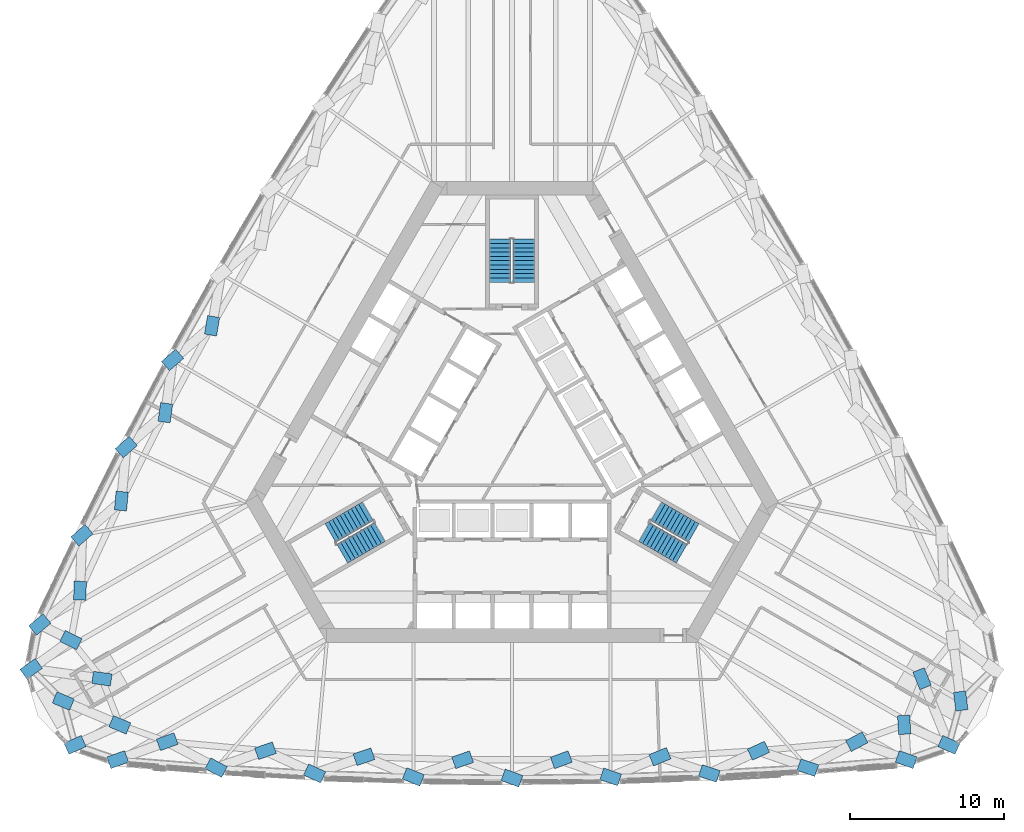
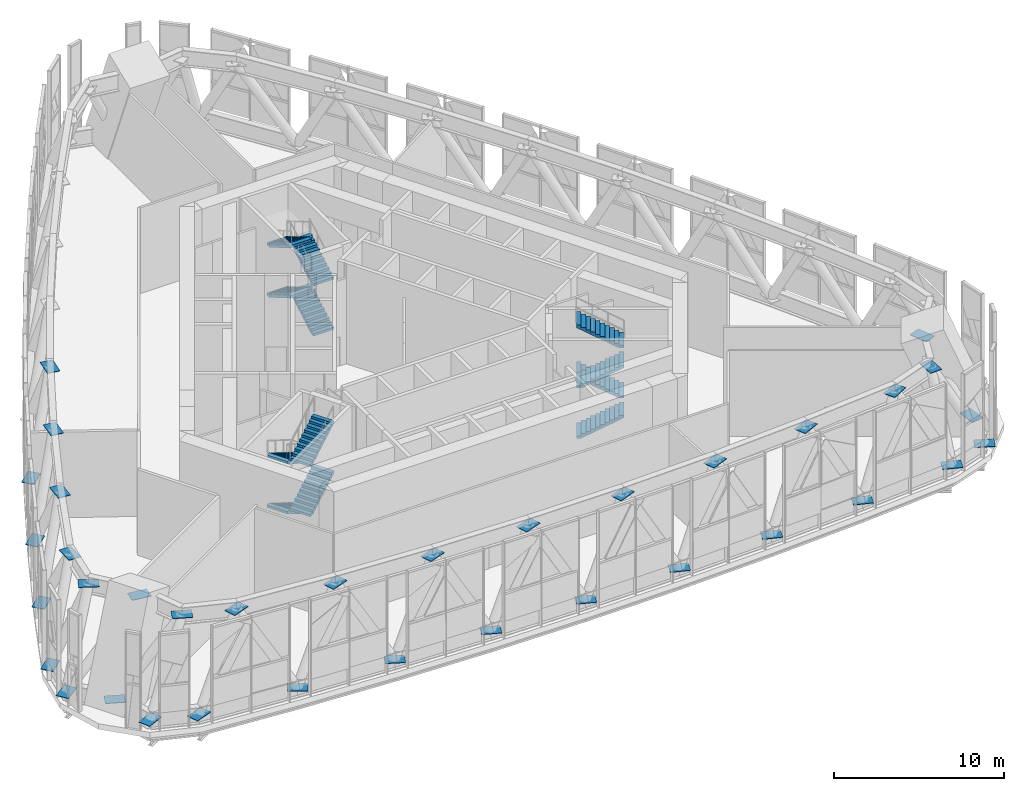
# One storey, part 26 of 33: 35 discrete accessories, 12 stair flights, 3 elements without a shape of their own.
"""IFC4 building model written with IfcOpenShell, lengths in metres."""

from ifc_helpers import new_model, si_unit, direction, frame, origin, place, context, subcontext, project, spatial, polyline, outline, extrude, material, layer, layer_set, type_object, element, aggregate, save


model = new_model("IFC4")

# Units and contexts
model_context = context("Model", 3, precision=1e-05, world=origin(), true_north=direction((0.0, 1.0)))
body_context = subcontext(model_context, "Body", "Model", "MODEL_VIEW")
ifc_project = project(units=[si_unit("LENGTHUNIT", "METRE"), si_unit("AREAUNIT", "SQUARE_METRE"), si_unit("VOLUMEUNIT", "CUBIC_METRE"), si_unit("PLANEANGLEUNIT", "RADIAN"), si_unit("MASSUNIT", "GRAM", prefix="KILO")], contexts=[model_context])

# Site, building, storey
site_placement = place(None, origin())
site = spatial("IfcSite", under=ifc_project, at=site_placement, CompositionType="ELEMENT")
building_placement = place(site_placement, origin())
building = spatial("IfcBuilding", under=site, at=building_placement, Name="Mestral Congress Tower", CompositionType="ELEMENT")
storey_placement = place(building_placement, frame((0.0, 0.0, 134.39990234375)))
storey = spatial("IfcBuildingStorey", under=building, at=storey_placement, Name="L32", CompositionType="ELEMENT", Elevation=134.39990234375)

# Stair, stair flights
ifc_material_1 = material(Name="Concrete C60/75", Category="concrete")
stair_type = type_object("IfcStairType", Name="Exit stair 1400", PredefinedType="HALF_TURN_STAIR", material=ifc_material_1)
placement_1 = place(storey_placement, origin())
stair_1 = element("IfcStair", 1, at=placement_1, inside=storey, type_object=stair_type, Name="L32 ST1", PredefinedType="HALF_TURN_STAIR")
stair_flight_type = type_object("IfcStairFlightType", Name="Exit stair flight 1400", PredefinedType="STRAIGHT", material=ifc_material_1)
stair_flight_1_placement = place(storey_placement, frame((8.575927734375, -5.84619140625, 0.0), z_axis=(0.0, 0.0, 1.0), x_axis=(0.866025403784, -0.5, 0.0)))
stair_flight_1 = element("IfcStairFlight", 2, at=stair_flight_1_placement, type_object=stair_flight_type, Name="ST1 flight 1", NumberOfRisers=11, NumberOfTreads=10, PredefinedType="STRAIGHT", RiserHeight=0.163636364, TreadLength=0.28, context=body_context, shape_type="SweptSolid", body=[
    extrude(outline(polyline([(0.0, 0.0), (0.0, 0.16357421875), (0.280029296875, 0.16357421875), (0.280029296875, 0.327392578125), (0.56005859375, 0.327392578125), (0.56005859375, 0.490966796875), (0.840087890625, 0.490966796875), (0.840087890625, 0.654541015625), (1.1201171875, 0.654541015625), (1.1201171875, 0.818115234375), (1.39990234375, 0.818115234375), (1.39990234375, 0.98193359375), (1.679931640625, 0.98193359375), (1.679931640625, 1.1455078125), (1.9599609375, 1.1455078125), (1.9599609375, 1.30908203125), (2.239990234375, 1.30908203125), (2.239990234375, 1.47265625), (2.52001953125, 1.47265625), (2.52001953125, 1.636474609375), (2.800048828125, 1.636474609375), (2.800048828125, 1.800048828125), (2.800048828125, 1.462646484375), (0.297119140625, 0.0), (0.0, 0.0)])), frame((0.0, 0.699951171875, 0.0), z_axis=(0.0, -1.0, 0.0), x_axis=(1.0, 0.0, 0.0)), (0.0, 0.0, 1.0), 1.39990234375),
])
stair_flight_2_placement = place(storey_placement, frame((11.775634765625, -5.90380859375, 1.800048828125), z_axis=(0.0, 0.0, 1.0), x_axis=(-0.866025403784, 0.5, 0.0)))
stair_flight_2 = element("IfcStairFlight", 3, at=stair_flight_2_placement, type_object=stair_flight_type, Name="ST1 flight 2", NumberOfRisers=11, NumberOfTreads=10, PredefinedType="STRAIGHT", RiserHeight=0.163636364, TreadLength=0.28, context=body_context, shape_type="SweptSolid", body=[
    extrude(outline(polyline([(0.0, 0.0), (0.0, 0.16357421875), (0.280029296875, 0.16357421875), (0.280029296875, 0.327392578125), (0.56005859375, 0.327392578125), (0.56005859375, 0.490966796875), (0.840087890625, 0.490966796875), (0.840087890625, 0.654541015625), (1.1201171875, 0.654541015625), (1.1201171875, 0.818115234375), (1.39990234375, 0.818115234375), (1.39990234375, 0.98193359375), (1.679931640625, 0.98193359375), (1.679931640625, 1.1455078125), (1.9599609375, 1.1455078125), (1.9599609375, 1.30908203125), (2.239990234375, 1.30908203125), (2.239990234375, 1.47265625), (2.52001953125, 1.47265625), (2.52001953125, 1.636474609375), (2.800048828125, 1.636474609375), (2.800048828125, 1.800048828125), (2.800048828125, 1.462646484375), (0.297119140625, 0.0), (0.0, 0.0)])), frame((0.0, 0.699951171875, 0.0), z_axis=(0.0, -1.0, 0.0), x_axis=(1.0, 0.0, 0.0)), (0.0, 0.0, 1.0), 1.39990234375),
])
stair_flight_3_placement = place(storey_placement, frame((8.575927734375, -5.84619140625, 3.60009765625), z_axis=(0.0, 0.0, 1.0), x_axis=(0.866025403784, -0.5, 0.0)))
stair_flight_3 = element("IfcStairFlight", 4, at=stair_flight_3_placement, type_object=stair_flight_type, Name="ST1 flight 3", NumberOfRisers=11, NumberOfTreads=10, PredefinedType="STRAIGHT", RiserHeight=0.163636364, TreadLength=0.28, context=body_context, shape_type="SweptSolid", body=[
    extrude(outline(polyline([(0.0, 0.0), (0.0, 0.16357421875), (0.280029296875, 0.16357421875), (0.280029296875, 0.327392578125), (0.56005859375, 0.327392578125), (0.56005859375, 0.490966796875), (0.840087890625, 0.490966796875), (0.840087890625, 0.654541015625), (1.1201171875, 0.654541015625), (1.1201171875, 0.818115234375), (1.39990234375, 0.818115234375), (1.39990234375, 0.98193359375), (1.679931640625, 0.98193359375), (1.679931640625, 1.1455078125), (1.9599609375, 1.1455078125), (1.9599609375, 1.30908203125), (2.239990234375, 1.30908203125), (2.239990234375, 1.47265625), (2.52001953125, 1.47265625), (2.52001953125, 1.636474609375), (2.800048828125, 1.636474609375), (2.800048828125, 1.800048828125), (2.800048828125, 1.462646484375), (0.297119140625, 0.0), (0.0, 0.0)])), frame((0.0, 0.699951171875, 0.0), z_axis=(0.0, -1.0, 0.0), x_axis=(1.0, 0.0, 0.0)), (0.0, 0.0, 1.0), 1.39990234375),
])
stair_flight_4_placement = place(storey_placement, frame((11.775634765625, -5.90380859375, 5.400146484375), z_axis=(0.0, 0.0, 1.0), x_axis=(-0.866025403784, 0.5, 0.0)))
stair_flight_4 = element("IfcStairFlight", 5, at=stair_flight_4_placement, type_object=stair_flight_type, Name="ST1 flight 4", NumberOfRisers=11, NumberOfTreads=10, PredefinedType="STRAIGHT", RiserHeight=0.163636364, TreadLength=0.28, context=body_context, shape_type="SweptSolid", body=[
    extrude(outline(polyline([(0.0, 0.0), (0.0, 0.16357421875), (0.280029296875, 0.16357421875), (0.280029296875, 0.327392578125), (0.56005859375, 0.327392578125), (0.56005859375, 0.490966796875), (0.840087890625, 0.490966796875), (0.840087890625, 0.654541015625), (1.1201171875, 0.654541015625), (1.1201171875, 0.818115234375), (1.39990234375, 0.818115234375), (1.39990234375, 0.98193359375), (1.679931640625, 0.98193359375), (1.679931640625, 1.1455078125), (1.9599609375, 1.1455078125), (1.9599609375, 1.30908203125), (2.239990234375, 1.30908203125), (2.239990234375, 1.47265625), (2.52001953125, 1.47265625), (2.52001953125, 1.636474609375), (2.800048828125, 1.636474609375), (2.800048828125, 1.800048828125), (2.800048828125, 1.462646484375), (0.297119140625, 0.0), (0.0, 0.0)])), frame((0.0, 0.699951171875, 0.0), z_axis=(0.0, -1.0, 0.0), x_axis=(1.0, 0.0, 0.0)), (0.0, 0.0, 1.0), 1.39990234375),
])
aggregate(stair_1, [stair_flight_1, stair_flight_2, stair_flight_3, stair_flight_4])

stair_2 = element("IfcStair", 6, at=placement_1, inside=storey, type_object=stair_type, Name="L32 ST2", PredefinedType="HALF_TURN_STAIR")
stair_flight_5_placement = place(storey_placement, frame((0.77490234375, 10.35009765625, 0.0), z_axis=(0.0, 0.0, 1.0), x_axis=(0.0, 1.0, 0.0)))
stair_flight_5 = element("IfcStairFlight", 7, at=stair_flight_5_placement, type_object=stair_flight_type, Name="ST2 flight 1", NumberOfRisers=11, NumberOfTreads=10, PredefinedType="STRAIGHT", RiserHeight=0.163636364, TreadLength=0.28, context=body_context, shape_type="SweptSolid", body=[
    extrude(outline(polyline([(0.0, 0.0), (0.0, 0.16357421875), (0.280029296875, 0.16357421875), (0.280029296875, 0.327392578125), (0.56005859375, 0.327392578125), (0.56005859375, 0.490966796875), (0.840087890625, 0.490966796875), (0.840087890625, 0.654541015625), (1.1201171875, 0.654541015625), (1.1201171875, 0.818115234375), (1.39990234375, 0.818115234375), (1.39990234375, 0.98193359375), (1.679931640625, 0.98193359375), (1.679931640625, 1.1455078125), (1.9599609375, 1.1455078125), (1.9599609375, 1.30908203125), (2.239990234375, 1.30908203125), (2.239990234375, 1.47265625), (2.52001953125, 1.47265625), (2.52001953125, 1.636474609375), (2.800048828125, 1.636474609375), (2.800048828125, 1.800048828125), (2.800048828125, 1.462646484375), (0.297119140625, 0.0), (0.0, 0.0)])), frame((0.0, 0.699951171875, 0.0), z_axis=(0.0, -1.0, 0.0), x_axis=(1.0, 0.0, 0.0)), (0.0, 0.0, 1.0), 1.39990234375),
])
stair_flight_6_placement = place(storey_placement, frame((-0.77490234375, 13.14990234375, 1.800048828125), z_axis=(0.0, 0.0, 1.0), x_axis=(0.0, -1.0, 0.0)))
stair_flight_6 = element("IfcStairFlight", 8, at=stair_flight_6_placement, type_object=stair_flight_type, Name="ST2 flight 2", NumberOfRisers=11, NumberOfTreads=10, PredefinedType="STRAIGHT", RiserHeight=0.163636364, TreadLength=0.28, context=body_context, shape_type="SweptSolid", body=[
    extrude(outline(polyline([(0.0, 0.0), (0.0, 0.16357421875), (0.280029296875, 0.16357421875), (0.280029296875, 0.327392578125), (0.56005859375, 0.327392578125), (0.56005859375, 0.490966796875), (0.840087890625, 0.490966796875), (0.840087890625, 0.654541015625), (1.1201171875, 0.654541015625), (1.1201171875, 0.818115234375), (1.39990234375, 0.818115234375), (1.39990234375, 0.98193359375), (1.679931640625, 0.98193359375), (1.679931640625, 1.1455078125), (1.9599609375, 1.1455078125), (1.9599609375, 1.30908203125), (2.239990234375, 1.30908203125), (2.239990234375, 1.47265625), (2.52001953125, 1.47265625), (2.52001953125, 1.636474609375), (2.800048828125, 1.636474609375), (2.800048828125, 1.800048828125), (2.800048828125, 1.462646484375), (0.297119140625, 0.0), (0.0, 0.0)])), frame((0.0, 0.699951171875, 0.0), z_axis=(0.0, -1.0, 0.0), x_axis=(1.0, 0.0, 0.0)), (0.0, 0.0, 1.0), 1.39990234375),
])
stair_flight_7_placement = place(storey_placement, frame((0.77490234375, 10.35009765625, 3.60009765625), z_axis=(0.0, 0.0, 1.0), x_axis=(0.0, 1.0, 0.0)))
stair_flight_7 = element("IfcStairFlight", 9, at=stair_flight_7_placement, type_object=stair_flight_type, Name="ST2 flight 3", NumberOfRisers=11, NumberOfTreads=10, PredefinedType="STRAIGHT", RiserHeight=0.163636364, TreadLength=0.28, context=body_context, shape_type="SweptSolid", body=[
    extrude(outline(polyline([(0.0, 0.0), (0.0, 0.16357421875), (0.280029296875, 0.16357421875), (0.280029296875, 0.327392578125), (0.56005859375, 0.327392578125), (0.56005859375, 0.490966796875), (0.840087890625, 0.490966796875), (0.840087890625, 0.654541015625), (1.1201171875, 0.654541015625), (1.1201171875, 0.818115234375), (1.39990234375, 0.818115234375), (1.39990234375, 0.98193359375), (1.679931640625, 0.98193359375), (1.679931640625, 1.1455078125), (1.9599609375, 1.1455078125), (1.9599609375, 1.30908203125), (2.239990234375, 1.30908203125), (2.239990234375, 1.47265625), (2.52001953125, 1.47265625), (2.52001953125, 1.636474609375), (2.800048828125, 1.636474609375), (2.800048828125, 1.800048828125), (2.800048828125, 1.462646484375), (0.297119140625, 0.0), (0.0, 0.0)])), frame((0.0, 0.699951171875, 0.0), z_axis=(0.0, -1.0, 0.0), x_axis=(1.0, 0.0, 0.0)), (0.0, 0.0, 1.0), 1.39990234375),
])
stair_flight_8_placement = place(storey_placement, frame((-0.77490234375, 13.14990234375, 5.400146484375), z_axis=(0.0, 0.0, 1.0), x_axis=(0.0, -1.0, 0.0)))
stair_flight_8 = element("IfcStairFlight", 10, at=stair_flight_8_placement, type_object=stair_flight_type, Name="ST2 flight 4", NumberOfRisers=11, NumberOfTreads=10, PredefinedType="STRAIGHT", RiserHeight=0.163636364, TreadLength=0.28, context=body_context, shape_type="SweptSolid", body=[
    extrude(outline(polyline([(0.0, 0.0), (0.0, 0.16357421875), (0.280029296875, 0.16357421875), (0.280029296875, 0.327392578125), (0.56005859375, 0.327392578125), (0.56005859375, 0.490966796875), (0.840087890625, 0.490966796875), (0.840087890625, 0.654541015625), (1.1201171875, 0.654541015625), (1.1201171875, 0.818115234375), (1.39990234375, 0.818115234375), (1.39990234375, 0.98193359375), (1.679931640625, 0.98193359375), (1.679931640625, 1.1455078125), (1.9599609375, 1.1455078125), (1.9599609375, 1.30908203125), (2.239990234375, 1.30908203125), (2.239990234375, 1.47265625), (2.52001953125, 1.47265625), (2.52001953125, 1.636474609375), (2.800048828125, 1.636474609375), (2.800048828125, 1.800048828125), (2.800048828125, 1.462646484375), (0.297119140625, 0.0), (0.0, 0.0)])), frame((0.0, 0.699951171875, 0.0), z_axis=(0.0, -1.0, 0.0), x_axis=(1.0, 0.0, 0.0)), (0.0, 0.0, 1.0), 1.39990234375),
])
aggregate(stair_2, [stair_flight_5, stair_flight_6, stair_flight_7, stair_flight_8])

stair_3 = element("IfcStair", 11, at=placement_1, inside=storey, type_object=stair_type, Name="L32 ST3", PredefinedType="HALF_TURN_STAIR")
stair_flight_9_placement = place(storey_placement, frame((-9.350830078125, -4.50390625, 0.0), z_axis=(0.0, 0.0, 1.0), x_axis=(-0.866025403784, -0.5, 0.0)))
stair_flight_9 = element("IfcStairFlight", 12, at=stair_flight_9_placement, type_object=stair_flight_type, Name="ST3 flight 1", NumberOfRisers=11, NumberOfTreads=10, PredefinedType="STRAIGHT", RiserHeight=0.163636364, TreadLength=0.28, context=body_context, shape_type="SweptSolid", body=[
    extrude(outline(polyline([(0.0, 0.0), (0.0, 0.16357421875), (0.280029296875, 0.16357421875), (0.280029296875, 0.327392578125), (0.56005859375, 0.327392578125), (0.56005859375, 0.490966796875), (0.840087890625, 0.490966796875), (0.840087890625, 0.654541015625), (1.1201171875, 0.654541015625), (1.1201171875, 0.818115234375), (1.39990234375, 0.818115234375), (1.39990234375, 0.98193359375), (1.679931640625, 0.98193359375), (1.679931640625, 1.1455078125), (1.9599609375, 1.1455078125), (1.9599609375, 1.30908203125), (2.239990234375, 1.30908203125), (2.239990234375, 1.47265625), (2.52001953125, 1.47265625), (2.52001953125, 1.636474609375), (2.800048828125, 1.636474609375), (2.800048828125, 1.800048828125), (2.800048828125, 1.462646484375), (0.297119140625, 0.0), (0.0, 0.0)])), frame((0.0, 0.699951171875, 0.0), z_axis=(0.0, -1.0, 0.0), x_axis=(1.0, 0.0, 0.0)), (0.0, 0.0, 1.0), 1.39990234375),
])
stair_flight_10_placement = place(storey_placement, frame((-11.000732421875, -7.24609375, 1.800048828125), z_axis=(0.0, 0.0, 1.0), x_axis=(0.866025403784, 0.5, 0.0)))
stair_flight_10 = element("IfcStairFlight", 13, at=stair_flight_10_placement, type_object=stair_flight_type, Name="ST3 flight 2", NumberOfRisers=11, NumberOfTreads=10, PredefinedType="STRAIGHT", RiserHeight=0.163636364, TreadLength=0.28, context=body_context, shape_type="SweptSolid", body=[
    extrude(outline(polyline([(0.0, 0.0), (0.0, 0.16357421875), (0.280029296875, 0.16357421875), (0.280029296875, 0.327392578125), (0.56005859375, 0.327392578125), (0.56005859375, 0.490966796875), (0.840087890625, 0.490966796875), (0.840087890625, 0.654541015625), (1.1201171875, 0.654541015625), (1.1201171875, 0.818115234375), (1.39990234375, 0.818115234375), (1.39990234375, 0.98193359375), (1.679931640625, 0.98193359375), (1.679931640625, 1.1455078125), (1.9599609375, 1.1455078125), (1.9599609375, 1.30908203125), (2.239990234375, 1.30908203125), (2.239990234375, 1.47265625), (2.52001953125, 1.47265625), (2.52001953125, 1.636474609375), (2.800048828125, 1.636474609375), (2.800048828125, 1.800048828125), (2.800048828125, 1.462646484375), (0.297119140625, 0.0), (0.0, 0.0)])), frame((0.0, 0.699951171875, 0.0), z_axis=(0.0, -1.0, 0.0), x_axis=(1.0, 0.0, 0.0)), (0.0, 0.0, 1.0), 1.39990234375),
])
stair_flight_11_placement = place(storey_placement, frame((-9.350830078125, -4.50390625, 3.60009765625), z_axis=(0.0, 0.0, 1.0), x_axis=(-0.866025403784, -0.5, 0.0)))
stair_flight_11 = element("IfcStairFlight", 14, at=stair_flight_11_placement, type_object=stair_flight_type, Name="ST3 flight 3", NumberOfRisers=11, NumberOfTreads=10, PredefinedType="STRAIGHT", RiserHeight=0.163636364, TreadLength=0.28, context=body_context, shape_type="SweptSolid", body=[
    extrude(outline(polyline([(0.0, 0.0), (0.0, 0.16357421875), (0.280029296875, 0.16357421875), (0.280029296875, 0.327392578125), (0.56005859375, 0.327392578125), (0.56005859375, 0.490966796875), (0.840087890625, 0.490966796875), (0.840087890625, 0.654541015625), (1.1201171875, 0.654541015625), (1.1201171875, 0.818115234375), (1.39990234375, 0.818115234375), (1.39990234375, 0.98193359375), (1.679931640625, 0.98193359375), (1.679931640625, 1.1455078125), (1.9599609375, 1.1455078125), (1.9599609375, 1.30908203125), (2.239990234375, 1.30908203125), (2.239990234375, 1.47265625), (2.52001953125, 1.47265625), (2.52001953125, 1.636474609375), (2.800048828125, 1.636474609375), (2.800048828125, 1.800048828125), (2.800048828125, 1.462646484375), (0.297119140625, 0.0), (0.0, 0.0)])), frame((0.0, 0.699951171875, 0.0), z_axis=(0.0, -1.0, 0.0), x_axis=(1.0, 0.0, 0.0)), (0.0, 0.0, 1.0), 1.39990234375),
])
stair_flight_12_placement = place(storey_placement, frame((-11.000732421875, -7.24609375, 5.400146484375), z_axis=(0.0, 0.0, 1.0), x_axis=(0.866025403784, 0.5, 0.0)))
stair_flight_12 = element("IfcStairFlight", 15, at=stair_flight_12_placement, type_object=stair_flight_type, Name="ST3 flight 4", NumberOfRisers=11, NumberOfTreads=10, PredefinedType="STRAIGHT", RiserHeight=0.163636364, TreadLength=0.28, context=body_context, shape_type="SweptSolid", body=[
    extrude(outline(polyline([(0.0, 0.0), (0.0, 0.16357421875), (0.280029296875, 0.16357421875), (0.280029296875, 0.327392578125), (0.56005859375, 0.327392578125), (0.56005859375, 0.490966796875), (0.840087890625, 0.490966796875), (0.840087890625, 0.654541015625), (1.1201171875, 0.654541015625), (1.1201171875, 0.818115234375), (1.39990234375, 0.818115234375), (1.39990234375, 0.98193359375), (1.679931640625, 0.98193359375), (1.679931640625, 1.1455078125), (1.9599609375, 1.1455078125), (1.9599609375, 1.30908203125), (2.239990234375, 1.30908203125), (2.239990234375, 1.47265625), (2.52001953125, 1.47265625), (2.52001953125, 1.636474609375), (2.800048828125, 1.636474609375), (2.800048828125, 1.800048828125), (2.800048828125, 1.462646484375), (0.297119140625, 0.0), (0.0, 0.0)])), frame((0.0, 0.699951171875, 0.0), z_axis=(0.0, -1.0, 0.0), x_axis=(1.0, 0.0, 0.0)), (0.0, 0.0, 1.0), 1.39990234375),
])
aggregate(stair_3, [stair_flight_9, stair_flight_10, stair_flight_11, stair_flight_12])

# Discrete accessories
ifc_material_2 = material(Name="Steel S355", Category="steel")
ifc_layer = layer(ifc_material_2, 0.034912109375)
ifc_layer_set = layer_set([ifc_layer], Name="Steel S355")
discrete_accessory_type = type_object("IfcDiscreteAccessoryType", Name="Brace end gusset plate 35 S355", PredefinedType="BRACKET", material=ifc_layer_set)
placement_2 = place(storey_placement, frame((0.0, 0.0, 0.58251953125)))
element("IfcDiscreteAccessory", 16, at=placement_2, inside=storey, type_object=discrete_accessory_type, Name="Brace end gusset plate 35 S355", PredefinedType="BRACKET", context=body_context, shape_type="SweptSolid", body=[
    extrude(outline(polyline([(-31.438720703125, -15.392822265625), (-30.4501953125, -14.677734375), (-30.914794921875, -14.035400390625), (-31.9033203125, -14.75048828125), (-31.438720703125, -15.392822265625)])), origin(), (0.0, 0.0, 1.0), 0.03515625),
])
element("IfcDiscreteAccessory", 17, at=placement_2, inside=storey, type_object=discrete_accessory_type, Name="Brace end gusset plate 35 S355", PredefinedType="BRACKET", context=body_context, shape_type="SweptSolid", body=[
    extrude(outline(polyline([(-30.830078125, -12.53564453125), (-29.89697265625, -11.749755859375), (-30.407958984375, -11.143310546875), (-31.341064453125, -11.92919921875), (-30.830078125, -12.53564453125)])), origin(), (0.0, 0.0, 1.0), 0.03515625),
])
element("IfcDiscreteAccessory", 18, at=placement_2, inside=storey, type_object=discrete_accessory_type, Name="Brace end gusset plate 35 S355", PredefinedType="BRACKET", context=body_context, shape_type="SweptSolid", body=[
    extrude(outline(polyline([(-29.813232421875, -16.927978515625), (-28.68896484375, -17.401611328125), (-28.381103515625, -16.670654296875), (-29.505615234375, -16.197021484375), (-29.813232421875, -16.927978515625)])), origin(), (0.0, 0.0, 1.0), 0.03515625),
])
placement_3 = place(storey_placement, frame((0.0, 0.0, 6.33251953125)))
element("IfcDiscreteAccessory", 19, at=placement_3, inside=storey, type_object=discrete_accessory_type, Name="Brace end gusset plate 35 S355", PredefinedType="BRACKET", context=body_context, shape_type="SweptSolid", body=[
    extrude(outline(polyline([(-27.8779296875, -12.769775390625), (-28.96875, -12.22314453125), (-29.323974609375, -12.931884765625), (-28.2333984375, -13.478759765625), (-27.8779296875, -12.769775390625)])), origin(), (0.0, 0.0, 1.0), 0.03515625),
])
element("IfcDiscreteAccessory", 20, at=placement_2, inside=storey, type_object=discrete_accessory_type, Name="Brace end gusset plate 35 S355", PredefinedType="BRACKET", context=body_context, shape_type="SweptSolid", body=[
    extrude(outline(polyline([(-28.725830078125, -20.25390625), (-27.6123046875, -19.75537109375), (-27.9365234375, -19.03173828125), (-29.050048828125, -19.5302734375), (-28.725830078125, -20.25390625)])), origin(), (0.0, 0.0, 1.0), 0.03515625),
])
element("IfcDiscreteAccessory", 21, at=placement_3, inside=storey, type_object=discrete_accessory_type, Name="Brace end gusset plate 35 S355", PredefinedType="BRACKET", context=body_context, shape_type="SweptSolid", body=[
    extrude(outline(polyline([(-27.637451171875, -10.267333984375), (-27.59375, -9.048095703125), (-28.38623046875, -9.019775390625), (-28.429931640625, -10.239013671875), (-27.637451171875, -10.267333984375)])), origin(), (0.0, 0.0, 1.0), 0.03515625),
])
element("IfcDiscreteAccessory", 22, at=placement_2, inside=storey, type_object=discrete_accessory_type, Name="Brace end gusset plate 35 S355", PredefinedType="BRACKET", context=body_context, shape_type="SweptSolid", body=[
    extrude(outline(polyline([(-28.08251953125, -6.75341796875), (-27.16259765625, -5.9521484375), (-27.683349609375, -5.35400390625), (-28.603271484375, -6.155517578125), (-28.08251953125, -6.75341796875)])), origin(), (0.0, 0.0, 1.0), 0.03515625),
])
element("IfcDiscreteAccessory", 23, at=placement_3, inside=storey, type_object=discrete_accessory_type, Name="Brace end gusset plate 35 S355", PredefinedType="BRACKET", context=body_context, shape_type="SweptSolid", body=[
    extrude(outline(polyline([(-25.931884765625, -15.04345703125), (-27.14013671875, -14.875244140625), (-27.24951171875, -15.660888671875), (-26.041015625, -15.828857421875), (-25.931884765625, -15.04345703125)])), origin(), (0.0, 0.0, 1.0), 0.03515625),
])
element("IfcDiscreteAccessory", 24, at=placement_2, inside=storey, type_object=discrete_accessory_type, Name="Brace end gusset plate 35 S355", PredefinedType="BRACKET", context=body_context, shape_type="SweptSolid", body=[
    extrude(outline(polyline([(-26.00146484375, -21.177490234375), (-24.854248046875, -20.762451171875), (-25.1240234375, -20.016845703125), (-26.271240234375, -20.431884765625), (-26.00146484375, -21.177490234375)])), origin(), (0.0, 0.0, 1.0), 0.03515625),
])
element("IfcDiscreteAccessory", 25, at=placement_3, inside=storey, type_object=discrete_accessory_type, Name="Brace end gusset plate 35 S355", PredefinedType="BRACKET", context=body_context, shape_type="SweptSolid", body=[
    extrude(outline(polyline([(-24.713623046875, -18.215087890625), (-25.837890625, -17.74169921875), (-26.145751953125, -18.472412109375), (-25.021484375, -18.946044921875), (-24.713623046875, -18.215087890625)])), origin(), (0.0, 0.0, 1.0), 0.03515625),
])
element("IfcDiscreteAccessory", 26, at=placement_3, inside=storey, type_object=discrete_accessory_type, Name="Brace end gusset plate 35 S355", PredefinedType="BRACKET", context=body_context, shape_type="SweptSolid", body=[
    extrude(outline(polyline([(-24.992919921875, -4.475341796875), (-24.8818359375, -3.26025390625), (-25.67138671875, -3.18798828125), (-25.78271484375, -4.403076171875), (-24.992919921875, -4.475341796875)])), origin(), (0.0, 0.0, 1.0), 0.03515625),
])
element("IfcDiscreteAccessory", 27, at=placement_2, inside=storey, type_object=discrete_accessory_type, Name="Brace end gusset plate 35 S355", PredefinedType="BRACKET", context=body_context, shape_type="SweptSolid", body=[
    extrude(outline(polyline([(-25.20849609375, -1.034423828125), (-24.29248046875, -0.22900390625), (-24.81591796875, 0.36669921875), (-25.732177734375, -0.43896484375), (-25.20849609375, -1.034423828125)])), origin(), (0.0, 0.0, 1.0), 0.03515625),
])
element("IfcDiscreteAccessory", 28, at=placement_3, inside=storey, type_object=discrete_accessory_type, Name="Brace end gusset plate 35 S355", PredefinedType="BRACKET", context=body_context, shape_type="SweptSolid", body=[
    extrude(outline(polyline([(-22.166015625, 1.2373046875), (-22.0009765625, 2.4462890625), (-22.78662109375, 2.5537109375), (-22.951904296875, 1.3447265625), (-22.166015625, 1.2373046875)])), origin(), (0.0, 0.0, 1.0), 0.03515625),
])
element("IfcDiscreteAccessory", 29, at=placement_3, inside=storey, type_object=discrete_accessory_type, Name="Brace end gusset plate 35 S355", PredefinedType="BRACKET", context=body_context, shape_type="SweptSolid", body=[
    extrude(outline(polyline([(-21.918701171875, -18.856689453125), (-23.06591796875, -19.27197265625), (-22.796142578125, -20.017578125), (-21.64892578125, -19.6025390625), (-21.918701171875, -18.856689453125)])), origin(), (0.0, 0.0, 1.0), 0.03515625),
])
element("IfcDiscreteAccessory", 30, at=placement_2, inside=storey, type_object=discrete_accessory_type, Name="Brace end gusset plate 35 S355", PredefinedType="BRACKET", context=body_context, shape_type="SweptSolid", body=[
    extrude(outline(polyline([(-22.210693359375, 4.618408203125), (-21.2880859375, 5.41650390625), (-21.806884765625, 6.016357421875), (-22.7294921875, 5.21826171875), (-22.210693359375, 4.618408203125)])), origin(), (0.0, 0.0, 1.0), 0.03515625),
])
element("IfcDiscreteAccessory", 31, at=placement_3, inside=storey, type_object=discrete_accessory_type, Name="Brace end gusset plate 35 S355", PredefinedType="BRACKET", context=body_context, shape_type="SweptSolid", body=[
    extrude(outline(polyline([(-19.15869140625, 6.864990234375), (-18.953857421875, 8.067626953125), (-19.735595703125, 8.20068359375), (-19.9404296875, 6.998291015625), (-19.15869140625, 6.864990234375)])), origin(), (0.0, 0.0, 1.0), 0.03515625),
])
element("IfcDiscreteAccessory", 32, at=placement_2, inside=storey, type_object=discrete_accessory_type, Name="Brace end gusset plate 35 S355", PredefinedType="BRACKET", context=body_context, shape_type="SweptSolid", body=[
    extrude(outline(polyline([(-18.459716796875, -21.055908203125), (-19.537353515625, -20.484375), (-19.908935546875, -21.184814453125), (-18.831298828125, -21.756591796875), (-18.459716796875, -21.055908203125)])), origin(), (0.0, 0.0, 1.0), 0.03515625),
])
element("IfcDiscreteAccessory", 33, at=placement_3, inside=storey, type_object=discrete_accessory_type, Name="Brace end gusset plate 35 S355", PredefinedType="BRACKET", context=body_context, shape_type="SweptSolid", body=[
    extrude(outline(polyline([(-15.5361328125, -19.449462890625), (-16.690185546875, -19.845458984375), (-16.432861328125, -20.595458984375), (-15.27880859375, -20.199462890625), (-15.5361328125, -19.449462890625)])), origin(), (0.0, 0.0, 1.0), 0.03515625),
])
element("IfcDiscreteAccessory", 34, at=placement_2, inside=storey, type_object=discrete_accessory_type, Name="Brace end gusset plate 35 S355", PredefinedType="BRACKET", context=body_context, shape_type="SweptSolid", body=[
    extrude(outline(polyline([(-12.0751953125, -21.389892578125), (-13.18310546875, -20.87890625), (-13.515380859375, -21.598876953125), (-12.40771484375, -22.110107421875), (-12.0751953125, -21.389892578125)])), origin(), (0.0, 0.0, 1.0), 0.03515625),
])
element("IfcDiscreteAccessory", 35, at=placement_3, inside=storey, type_object=discrete_accessory_type, Name="Brace end gusset plate 35 S355", PredefinedType="BRACKET", context=body_context, shape_type="SweptSolid", body=[
    extrude(outline(polyline([(-9.145751953125, -19.841796875), (-10.301513671875, -20.232666015625), (-10.047607421875, -20.98388671875), (-8.8916015625, -20.593017578125), (-9.145751953125, -19.841796875)])), origin(), (0.0, 0.0, 1.0), 0.03515625),
])
element("IfcDiscreteAccessory", 36, at=placement_2, inside=storey, type_object=discrete_accessory_type, Name="Brace end gusset plate 35 S355", PredefinedType="BRACKET", context=body_context, shape_type="SweptSolid", body=[
    extrude(outline(polyline([(-5.684814453125, -21.58251953125), (-6.814208984375, -21.12109375), (-7.114013671875, -21.855224609375), (-5.984619140625, -22.31640625), (-5.684814453125, -21.58251953125)])), origin(), (0.0, 0.0, 1.0), 0.03515625),
])
element("IfcDiscreteAccessory", 37, at=placement_3, inside=storey, type_object=discrete_accessory_type, Name="Brace end gusset plate 35 S355", PredefinedType="BRACKET", context=body_context, shape_type="SweptSolid", body=[
    extrude(outline(polyline([(-2.753662109375, -20.03369140625), (-3.90625, -20.43359375), (-3.64599609375, -21.182861328125), (-2.49365234375, -20.78271484375), (-2.753662109375, -20.03369140625)])), origin(), (0.0, 0.0, 1.0), 0.03515625),
])
element("IfcDiscreteAccessory", 38, at=placement_2, inside=storey, type_object=discrete_accessory_type, Name="Brace end gusset plate 35 S355", PredefinedType="BRACKET", context=body_context, shape_type="SweptSolid", body=[
    extrude(outline(polyline([(0.709716796875, -21.6337890625), (-0.434326171875, -21.2099609375), (-0.709716796875, -21.95361328125), (0.434326171875, -22.377197265625), (0.709716796875, -21.6337890625)])), origin(), (0.0, 0.0, 1.0), 0.03515625),
])
element("IfcDiscreteAccessory", 39, at=placement_3, inside=storey, type_object=discrete_accessory_type, Name="Brace end gusset plate 35 S355", PredefinedType="BRACKET", context=body_context, shape_type="SweptSolid", body=[
    extrude(outline(polyline([(3.63427734375, -20.0244140625), (2.490234375, -20.4482421875), (2.765625, -21.19189453125), (3.90966796875, -20.76806640625), (3.63427734375, -20.0244140625)])), origin(), (0.0, 0.0, 1.0), 0.03515625),
])
element("IfcDiscreteAccessory", 40, at=placement_2, inside=storey, type_object=discrete_accessory_type, Name="Brace end gusset plate 35 S355", PredefinedType="BRACKET", context=body_context, shape_type="SweptSolid", body=[
    extrude(outline(polyline([(7.105712890625, -21.544189453125), (5.953125, -21.144287109375), (5.693115234375, -21.893310546875), (6.845703125, -22.29345703125), (7.105712890625, -21.544189453125)])), origin(), (0.0, 0.0, 1.0), 0.03515625),
])
element("IfcDiscreteAccessory", 41, at=placement_3, inside=storey, type_object=discrete_accessory_type, Name="Brace end gusset plate 35 S355", PredefinedType="BRACKET", context=body_context, shape_type="SweptSolid", body=[
    extrude(outline(polyline([(10.011474609375, -19.815185546875), (8.882080078125, -20.276611328125), (9.181884765625, -21.010498046875), (10.311279296875, -20.54931640625), (10.011474609375, -19.815185546875)])), origin(), (0.0, 0.0, 1.0), 0.03515625),
])
element("IfcDiscreteAccessory", 42, at=placement_2, inside=storey, type_object=discrete_accessory_type, Name="Brace end gusset plate 35 S355", PredefinedType="BRACKET", context=body_context, shape_type="SweptSolid", body=[
    extrude(outline(polyline([(13.500244140625, -21.314208984375), (12.344482421875, -20.92333984375), (12.09033203125, -21.674560546875), (13.24609375, -22.0654296875), (13.500244140625, -21.314208984375)])), origin(), (0.0, 0.0, 1.0), 0.03515625),
])
element("IfcDiscreteAccessory", 43, at=placement_3, inside=storey, type_object=discrete_accessory_type, Name="Brace end gusset plate 35 S355", PredefinedType="BRACKET", context=body_context, shape_type="SweptSolid", body=[
    extrude(outline(polyline([(16.372314453125, -19.40673828125), (15.264404296875, -19.91796875), (15.5966796875, -20.637939453125), (16.70458984375, -20.126708984375), (16.372314453125, -19.40673828125)])), origin(), (0.0, 0.0, 1.0), 0.03515625),
])
element("IfcDiscreteAccessory", 44, at=placement_2, inside=storey, type_object=discrete_accessory_type, Name="Brace end gusset plate 35 S355", PredefinedType="BRACKET", context=body_context, shape_type="SweptSolid", body=[
    extrude(outline(polyline([(19.889892578125, -20.943359375), (18.736083984375, -20.54736328125), (18.478515625, -21.29736328125), (19.632568359375, -21.693359375), (19.889892578125, -20.943359375)])), origin(), (0.0, 0.0, 1.0), 0.03515625),
])
element("IfcDiscreteAccessory", 45, at=placement_3, inside=storey, type_object=discrete_accessory_type, Name="Brace end gusset plate 35 S355", PredefinedType="BRACKET", context=body_context, shape_type="SweptSolid", body=[
    extrude(outline(polyline([(22.71044921875, -18.801025390625), (21.6328125, -19.372802734375), (22.00439453125, -20.0732421875), (23.08203125, -19.501708984375), (22.71044921875, -18.801025390625)])), origin(), (0.0, 0.0, 1.0), 0.03515625),
])
element("IfcDiscreteAccessory", 46, at=placement_3, inside=storey, type_object=discrete_accessory_type, Name="Brace end gusset plate 35 S355", PredefinedType="BRACKET", context=body_context, shape_type="SweptSolid", body=[
    extrude(outline(polyline([(24.997802734375, -17.75830078125), (25.06982421875, -18.97607421875), (25.861572265625, -18.929443359375), (25.78955078125, -17.71142578125), (24.997802734375, -17.75830078125)])), origin(), (0.0, 0.0, 1.0), 0.03515625),
])
element("IfcDiscreteAccessory", 47, at=placement_2, inside=storey, type_object=discrete_accessory_type, Name="Brace end gusset plate 35 S355", PredefinedType="BRACKET", context=body_context, shape_type="SweptSolid", body=[
    extrude(outline(polyline([(26.271240234375, -20.431884765625), (25.1240234375, -20.016845703125), (24.854248046875, -20.762451171875), (26.00146484375, -21.177490234375), (26.271240234375, -20.431884765625)])), origin(), (0.0, 0.0, 1.0), 0.03515625),
])
element("IfcDiscreteAccessory", 48, at=placement_3, inside=storey, type_object=discrete_accessory_type, Name="Brace end gusset plate 35 S355", PredefinedType="BRACKET", context=body_context, shape_type="SweptSolid", body=[
    extrude(outline(polyline([(25.993896484375, -14.935791015625), (26.452392578125, -16.06640625), (27.187255859375, -15.768310546875), (26.728759765625, -14.6376953125), (25.993896484375, -14.935791015625)])), origin(), (0.0, 0.0, 1.0), 0.03515625),
])
element("IfcDiscreteAccessory", 49, at=placement_2, inside=storey, type_object=discrete_accessory_type, Name="Brace end gusset plate 35 S355", PredefinedType="BRACKET", context=body_context, shape_type="SweptSolid", body=[
    extrude(outline(polyline([(29.050048828125, -19.5302734375), (27.9365234375, -19.03173828125), (27.6123046875, -19.75537109375), (28.725830078125, -20.25390625), (29.050048828125, -19.5302734375)])), origin(), (0.0, 0.0, 1.0), 0.03515625),
])
element("IfcDiscreteAccessory", 50, at=placement_2, inside=storey, type_object=discrete_accessory_type, Name="Brace end gusset plate 35 S355", PredefinedType="BRACKET", context=body_context, shape_type="SweptSolid", body=[
    extrude(outline(polyline([(29.566650390625, -17.35498046875), (29.41455078125, -16.14453125), (28.627685546875, -16.243408203125), (28.77978515625, -17.4541015625), (29.566650390625, -17.35498046875)])), origin(), (0.0, 0.0, 1.0), 0.03515625),
])

save(model, "model.ifc")
